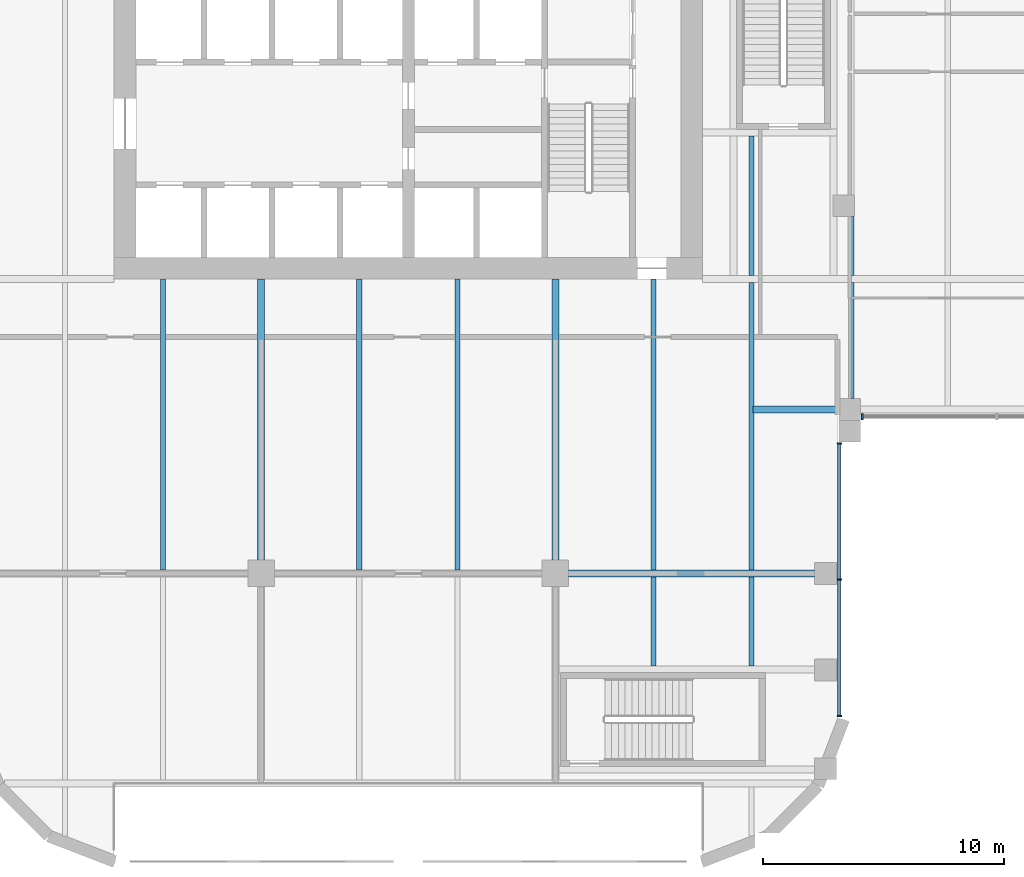
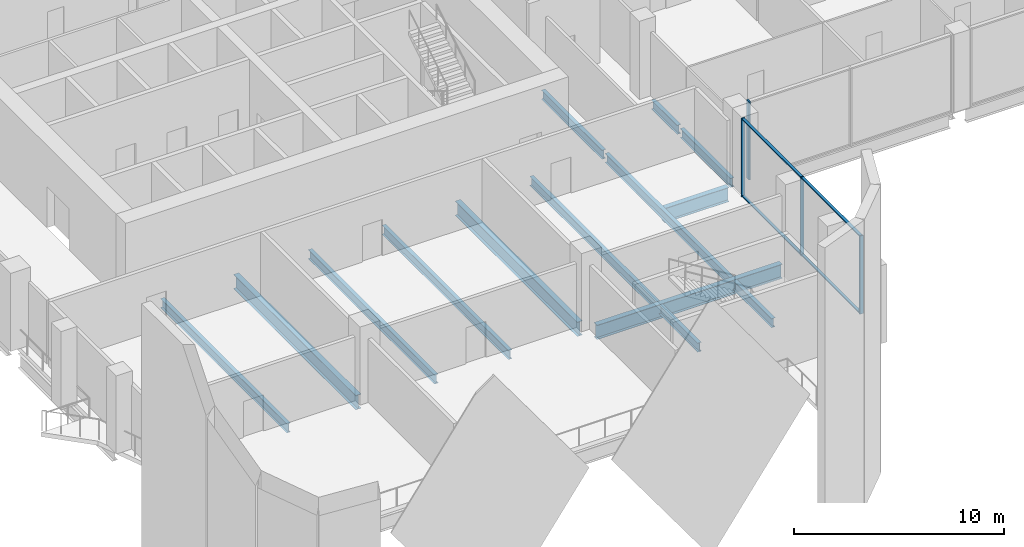
# One storey, part 2 of 33: 14 beams, 8 members, 2 elements without a shape of their own.
"""IFC4 building model written with IfcOpenShell, lengths in metres."""

import ifcopenshell
import ifcopenshell.guid

model = None  # the IFC model being written
_history = None  # IfcOwnerHistory: only IFC2X3 demands one
_inside = {}  # id of a spatial element -> (the spatial element, [elements in it])
_under = {}  # id of a project, library or spatial element -> (it, [spatial elements below it])
_declared = {}  # id of a project -> (the project, [libraries it declares])
_typed = {}  # id of a type object -> (the type object, [elements of that type])
_made_of = {}  # id of a material, layer set ... -> (it, [elements and type objects made of it])


def new_model(schema):
    """Start an empty IFC model of exactly this schema.

    Asked for "IFC4X3", IfcOpenShell would pick the latest addendum, in which some entities
    have other attributes; the version numbers below select the first issue.
    IFC2X3 requires an IfcOwnerHistory on every rooted entity: one is made here for all.
    """
    global model, _history
    if schema == "IFC4X3":
        model = ifcopenshell.file(schema_version=(4, 3, 0, 0))
    else:
        model = ifcopenshell.file(schema=schema)
    _inside.clear()
    _under.clear()
    _declared.clear()
    _typed.clear()
    _made_of.clear()
    _history = None
    if model.schema == "IFC2X3":
        org = make("IfcOrganization", Name="unknown")
        user = make(
            "IfcPersonAndOrganization",
            ThePerson=make("IfcPerson", FamilyName="unknown"),
            TheOrganization=org,
        )
        app = make(
            "IfcApplication",
            ApplicationDeveloper=org,
            Version="unknown",
            ApplicationFullName="unknown",
            ApplicationIdentifier="unknown",
        )
        _history = make(
            "IfcOwnerHistory",
            OwningUser=user,
            OwningApplication=app,
            ChangeAction="ADDED",
            CreationDate=0,
        )
    return model


def make(cls, **values):
    """One entity of the class cls with the attributes given. An attribute that is None is left unset."""
    return model.create_entity(
        cls, **{name: value for name, value in values.items() if value is not None}
    )


def rooted(cls, **values):
    """An entity with a GlobalId (a new one), such as an element, a storey or a relation."""
    return make(cls, GlobalId=ifcopenshell.guid.new(), OwnerHistory=_history, **values)


def si_unit(unit_type, name, prefix=None):
    """IfcSIUnit, for example si_unit("LENGTHUNIT", "METRE", prefix="MILLI")."""
    return make("IfcSIUnit", UnitType=unit_type, Prefix=prefix, Name=name)


def assignment(units):
    """IfcUnitAssignment: the units of a project."""
    return None if units is None else make("IfcUnitAssignment", Units=units)


def point(xyz):
    """IfcCartesianPoint."""
    return None if xyz is None else make("IfcCartesianPoint", Coordinates=xyz)


def direction(xyz):
    """IfcDirection."""
    return None if xyz is None else make("IfcDirection", DirectionRatios=xyz)


def frame(location, z_axis=None, x_axis=None):
    """IfcAxis2Placement3D, a coordinate frame: its origin and axes. An axis left out is left unset."""
    return make(
        "IfcAxis2Placement3D",
        Location=point(location),
        Axis=direction(z_axis),
        RefDirection=direction(x_axis),
    )


def frame_2d(location, x_axis=None):
    """IfcAxis2Placement2D, a coordinate frame in the plane: its origin and x axis."""
    return make(
        "IfcAxis2Placement2D", Location=point(location), RefDirection=direction(x_axis)
    )


def origin():
    """The frame at (0, 0, 0) with its axes left unset."""
    return frame((0.0, 0.0, 0.0))


def origin_2d():
    """The frame at (0, 0) in the plane with its x axis left unset."""
    return frame_2d((0.0, 0.0))


def place(relative_to, where):
    """IfcLocalPlacement: puts the frame where relative to a parent placement (None: the world)."""
    return make(
        "IfcLocalPlacement", PlacementRelTo=relative_to, RelativePlacement=where
    )


def context(
    kind, dimensions, precision=None, world=None, true_north=None, identifier=None
):
    """IfcGeometricRepresentationContext, for example the 3D "Model" context."""
    return make(
        "IfcGeometricRepresentationContext",
        ContextIdentifier=identifier,
        ContextType=kind,
        CoordinateSpaceDimension=dimensions,
        Precision=precision,
        WorldCoordinateSystem=world,
        TrueNorth=true_north,
    )


def subcontext(parent, identifier, kind, view, scale=None):
    """IfcGeometricRepresentationSubContext, for example "Body" below "Model"."""
    return make(
        "IfcGeometricRepresentationSubContext",
        ContextIdentifier=identifier,
        ContextType=kind,
        ParentContext=parent,
        TargetScale=scale,
        TargetView=view,
    )


def project(units=None, contexts=None):
    """IfcProject with its units and contexts."""
    return rooted(
        "IfcProject",
        Name="project",
        RepresentationContexts=contexts,
        UnitsInContext=assignment(units),
    )


def spatial(cls, under=None, at=None, **own):
    """A site, building, storey or space (cls), placed at a placement, below another one or the project."""
    s = rooted(cls, ObjectPlacement=at, **own)
    if under is not None:
        _under.setdefault(under.id(), (under, []))[1].append(s)
    return s


def profile(cls, at=None, kind="AREA", **sizes):
    """A parametric profile (cls). Its sizes go by their IFC names, for example OverallWidth=200.0."""
    return make(cls, ProfileType=kind, Position=at, **sizes)


def rectangle(**sizes):
    """IfcRectangleProfileDef."""
    return profile("IfcRectangleProfileDef", **sizes)


def i_section(**sizes):
    """IfcIShapeProfileDef."""
    return profile("IfcIShapeProfileDef", **sizes)


def extrude(swept, where, along, depth):
    """IfcExtrudedAreaSolid: the profile swept, set in the frame where, extruded along a direction by depth."""
    return make(
        "IfcExtrudedAreaSolid",
        SweptArea=swept,
        Position=where,
        ExtrudedDirection=direction(along),
        Depth=depth,
    )


def shape(context_of_items, identifier, shape_type, items):
    """IfcShapeRepresentation: the items that make up one representation, for example the "Body"."""
    return make(
        "IfcShapeRepresentation",
        ContextOfItems=context_of_items,
        RepresentationIdentifier=identifier,
        RepresentationType=shape_type,
        Items=items,
    )


def material(Name=None, Category=None):
    """IfcMaterial."""
    return make("IfcMaterial", Name=Name, Category=Category)


def material_profile(
    of_material, cross_section, Name=None, Category=None, Priority=None
):
    """IfcMaterialProfile: a cross section and its material."""
    return make(
        "IfcMaterialProfile",
        Name=Name,
        Material=of_material,
        Profile=cross_section,
        Priority=Priority,
        Category=Category,
    )


def profile_set(profiles, Name=None, composite=None):
    """IfcMaterialProfileSet."""
    return make(
        "IfcMaterialProfileSet",
        Name=Name,
        MaterialProfiles=profiles,
        CompositeProfile=composite,
    )


def made_of(thing, what):
    """Note that an element or type object is made of a material, layer set ...; save() writes the relation."""
    if what is not None:
        _made_of.setdefault(what.id(), (what, []))[1].append(thing)
    return thing


def type_object(cls, material=None, **own):
    """A type object (cls), such as IfcWallType, which elements share."""
    return made_of(rooted(cls, **own), material)


def element(
    cls,
    number,
    at=None,
    inside=None,
    cuts=None,
    type_object=None,
    material=None,
    context=None,
    identifier="Body",
    shape_type=None,
    held_by="IfcProductDefinitionShape",
    body=None,
    shapes=None,
    **own,
):
    """One element of the class cls, such as IfcWall. Its Tag is "e" and its number.

    at: its placement. inside: the storey or other place that contains it. cuts: it is an
    opening in that element (IfcRelVoidsElement). A single representation is given by context,
    identifier, shape_type and body (its items); several are given by shapes. held_by: the class
    of the entity that holds the representations. save() writes the other relations.
    """
    e = rooted(cls, Tag="e%d" % number, ObjectPlacement=at, **own)
    if body is not None:
        shapes = [shape(context, identifier, shape_type, body)]
    if shapes is not None:
        e.Representation = make(held_by, Representations=shapes)
    if inside is not None:
        _inside.setdefault(inside.id(), (inside, []))[1].append(e)
    if cuts is not None:
        rooted(
            "IfcRelVoidsElement", RelatingBuildingElement=cuts, RelatedOpeningElement=e
        )
    if type_object is not None:
        _typed.setdefault(type_object.id(), (type_object, []))[1].append(e)
    return made_of(e, material)


def aggregate(whole, parts):
    """IfcRelAggregates: a whole, such as a stair, and the parts it consists of."""
    return rooted("IfcRelAggregates", RelatingObject=whole, RelatedObjects=parts)


def save(model, path):
    """Write the relations noted so far, then the file.

    IfcRelAggregates (storeys below a building ...), IfcRelContainedInSpatialStructure (elements
    in a storey), IfcRelDefinesByType, IfcRelAssociatesMaterial and IfcRelDeclares: one each for
    every whole, place, type object, material and project.
    """
    for whole, parts in _under.values():
        aggregate(whole, parts)
    for where, things in _inside.values():
        rooted(
            "IfcRelContainedInSpatialStructure",
            RelatedElements=things,
            RelatingStructure=where,
        )
    for kind, things in _typed.values():
        rooted("IfcRelDefinesByType", RelatedObjects=things, RelatingType=kind)
    for what, things in _made_of.values():
        rooted("IfcRelAssociatesMaterial", RelatedObjects=things, RelatingMaterial=what)
    for by, libraries in _declared.values():
        rooted("IfcRelDeclares", RelatingContext=by, RelatedDefinitions=libraries)
    model.write(path)


model = new_model("IFC4")

# Units and contexts
model_context = context("Model", 3, precision=1e-05, world=origin(), true_north=direction((0.0, 1.0)))
body_context = subcontext(model_context, "Body", "Model", "MODEL_VIEW")
ifc_project = project(units=[si_unit("LENGTHUNIT", "METRE"), si_unit("AREAUNIT", "SQUARE_METRE"), si_unit("VOLUMEUNIT", "CUBIC_METRE"), si_unit("PLANEANGLEUNIT", "RADIAN"), si_unit("MASSUNIT", "GRAM", prefix="KILO")], contexts=[model_context])

# Site, building, storey
site_placement = place(None, origin())
site = spatial("IfcSite", under=ifc_project, at=site_placement, CompositionType="ELEMENT")
building_placement = place(site_placement, origin())
building = spatial("IfcBuilding", under=site, at=building_placement, Name="Tessera Gate Towers", CompositionType="ELEMENT")
storey_placement = place(building_placement, frame((0.0, 0.0, 7.199951171875)))
storey = spatial("IfcBuildingStorey", under=building, at=storey_placement, Name="L01", CompositionType="ELEMENT", Elevation=7.199951171875)

# Beams
ifc_material_1 = material(Name="Steel 350W", Category="steel")
ifc_material_profile_1 = material_profile(ifc_material_1, i_section(OverallWidth=0.2919921875, OverallDepth=0.8349609375, WebThickness=0.013916015625, FlangeThickness=0.018798828125, at=origin_2d()), Name="W840x176")
ifc_profile_set_1 = profile_set([ifc_material_profile_1], Name="Steel 350W")
beam_type_1 = type_object("IfcBeamType", Name="FLOOR GIRDER W840x176", PredefinedType="BEAM", material=ifc_profile_set_1)
beam_1_placement = place(storey_placement, frame((57.0, 19.0, -0.66748046875), z_axis=(1.0, 0.0, 0.0), x_axis=(0.0, 1.0, 0.0)))
element("IfcBeam", 1, at=beam_1_placement, inside=storey, type_object=beam_type_1, Name="PD-GD-L01-188", PredefinedType="BEAM", context=body_context, shape_type="SweptSolid", body=[
    extrude(i_section(OverallWidth=0.2919921875, OverallDepth=0.8349609375, WebThickness=0.013916015625, FlangeThickness=0.018798828125, at=origin_2d()), origin(), (0.0, 0.0, 1.0), 3.550048828125),
])
beam_2_placement = place(storey_placement, frame((49.35009765625, 12.199951171875, -0.66748046875), z_axis=(1.0, 0.0, 0.0), x_axis=(0.0, 1.0, 0.0)))
element("IfcBeam", 2, at=beam_2_placement, inside=storey, type_object=beam_type_1, Name="PD-GD-L01-203", PredefinedType="BEAM", context=body_context, shape_type="SweptSolid", body=[
    extrude(i_section(OverallWidth=0.2919921875, OverallDepth=0.8349609375, WebThickness=0.013916015625, FlangeThickness=0.018798828125, at=origin_2d()), origin(), (0.0, 0.0, 1.0), 10.199951171875),
])
for number, where, z_axis, x_axis, name in (
    (3, (36.60009765625, 12.75, -0.66748046875), (0.0, 1.0, 0.0), (-1.0, 0.0, 0.0), "PD-GD-L01-244"),
    (4, (48.800048828125, 12.75, -0.66748046875), (0.0, 1.0, 0.0), (-1.0, 0.0, 0.0), "PD-GD-L01-246"),
):
    element("IfcBeam", number, at=place(storey_placement, frame(where, z_axis=z_axis, x_axis=x_axis)), inside=storey, type_object=beam_type_1, Name=name, PredefinedType="BEAM", context=body_context, shape_type="SweptSolid", body=[
        extrude(i_section(OverallWidth=0.2919921875, OverallDepth=0.8349609375, WebThickness=0.013916015625, FlangeThickness=0.018798828125, at=origin_2d()), origin(), (0.0, 0.0, 1.0), 11.64990234375),
    ])
ifc_material_2 = material(Name="Steel 350W", Category="steel")
ifc_material_profile_2 = material_profile(ifc_material_2, i_section(OverallWidth=0.208984375, OverallDepth=0.528076171875, WebThickness=0.009521484375, FlangeThickness=0.01318359375, at=origin_2d()), Name="W530x82")
ifc_profile_set_2 = profile_set([ifc_material_profile_2], Name="Steel 350W")
beam_type_2 = type_object("IfcBeamType", Name="FLOOR SECONDARY W530x82", PredefinedType="BEAM", material=ifc_profile_set_2)
for number, where, z_axis, x_axis, name in (
    (5, (32.533203125, 12.345947265625, -0.513916015625), (0.0, 1.0, 0.0), (-1.0, 0.0, 0.0), "PD-BM-L01-277"),
    (6, (40.666748046875, 12.345947265625, -0.513916015625), (0.0, 1.0, 0.0), (-1.0, 0.0, 0.0), "PD-BM-L01-281"),
    (7, (44.7333984375, 12.345947265625, -0.513916015625), (0.0, 1.0, 0.0), (-1.0, 0.0, 0.0), "PD-BM-L01-284"),
):
    element("IfcBeam", number, at=place(storey_placement, frame(where, z_axis=z_axis, x_axis=x_axis)), inside=storey, type_object=beam_type_2, Name=name, PredefinedType="BEAM", context=body_context, shape_type="SweptSolid", body=[
        extrude(i_section(OverallWidth=0.208984375, OverallDepth=0.528076171875, WebThickness=0.009521484375, FlangeThickness=0.01318359375, at=origin_2d()), origin(), (0.0, 0.0, 1.0), 12.053955078125),
    ])
beam_3_placement = place(storey_placement, frame((52.86669921875, 8.365966796875, -0.513916015625), z_axis=(0.0, 1.0, 0.0), x_axis=(-1.0, 0.0, 0.0)))
element("IfcBeam", 8, at=beam_3_placement, inside=storey, type_object=beam_type_2, Name="PD-BM-L01-287", PredefinedType="BEAM", context=body_context, shape_type="SweptSolid", body=[
    extrude(i_section(OverallWidth=0.208984375, OverallDepth=0.528076171875, WebThickness=0.009521484375, FlangeThickness=0.01318359375, at=origin_2d()), origin(), (0.0, 0.0, 1.0), 3.68798828125),
])
beam_4_placement = place(storey_placement, frame((52.86669921875, 12.345947265625, -0.513916015625), z_axis=(0.0, 1.0, 0.0), x_axis=(-1.0, 0.0, 0.0)))
element("IfcBeam", 9, at=beam_4_placement, inside=storey, type_object=beam_type_2, Name="PD-BM-L01-288", PredefinedType="BEAM", context=body_context, shape_type="SweptSolid", body=[
    extrude(i_section(OverallWidth=0.208984375, OverallDepth=0.528076171875, WebThickness=0.009521484375, FlangeThickness=0.01318359375, at=origin_2d()), origin(), (0.0, 0.0, 1.0), 12.053955078125),
])
beam_5_placement = place(storey_placement, frame((56.933349609375, 8.365966796875, -0.513916015625), z_axis=(0.0, 1.0, 0.0), x_axis=(-1.0, 0.0, 0.0)))
element("IfcBeam", 10, at=beam_5_placement, inside=storey, type_object=beam_type_2, Name="PD-BM-L01-291", PredefinedType="BEAM", context=body_context, shape_type="SweptSolid", body=[
    extrude(i_section(OverallWidth=0.208984375, OverallDepth=0.528076171875, WebThickness=0.009521484375, FlangeThickness=0.01318359375, at=origin_2d()), origin(), (0.0, 0.0, 1.0), 3.68798828125),
])
beam_6_placement = place(storey_placement, frame((56.933349609375, 12.345947265625, -0.513916015625), z_axis=(0.0, 1.0, 0.0), x_axis=(-1.0, 0.0, 0.0)))
element("IfcBeam", 11, at=beam_6_placement, inside=storey, type_object=beam_type_2, Name="PD-BM-L01-292", PredefinedType="BEAM", context=body_context, shape_type="SweptSolid", body=[
    extrude(i_section(OverallWidth=0.208984375, OverallDepth=0.528076171875, WebThickness=0.009521484375, FlangeThickness=0.01318359375, at=origin_2d()), origin(), (0.0, 0.0, 1.0), 11.907958984375),
])
beam_7_placement = place(storey_placement, frame((56.933349609375, 24.5458984375, -0.513916015625), z_axis=(0.0, 1.0, 0.0), x_axis=(-1.0, 0.0, 0.0)))
element("IfcBeam", 12, at=beam_7_placement, inside=storey, type_object=beam_type_2, Name="PD-BM-L01-293", PredefinedType="BEAM", context=body_context, shape_type="SweptSolid", body=[
    extrude(i_section(OverallWidth=0.208984375, OverallDepth=0.528076171875, WebThickness=0.009521484375, FlangeThickness=0.01318359375, at=origin_2d()), origin(), (0.0, 0.0, 1.0), 5.7880859375),
])
beam_8_placement = place(storey_placement, frame((61.070556640625, 19.449951171875, -0.513916015625), z_axis=(0.0, 1.0, 0.0), x_axis=(-1.0, 0.0, 0.0)))
element("IfcBeam", 13, at=beam_8_placement, inside=storey, type_object=beam_type_2, Name="PD-BM-L01-296", PredefinedType="BEAM", context=body_context, shape_type="SweptSolid", body=[
    extrude(i_section(OverallWidth=0.208984375, OverallDepth=0.528076171875, WebThickness=0.009521484375, FlangeThickness=0.01318359375, at=origin_2d()), origin(), (0.0, 0.0, 1.0), 4.803955078125),
])
beam_9_placement = place(storey_placement, frame((61.070556640625, 24.5458984375, -0.513916015625), z_axis=(0.0, 1.0, 0.0), x_axis=(-1.0, 0.0, 0.0)))
element("IfcBeam", 14, at=beam_9_placement, inside=storey, type_object=beam_type_2, Name="PD-BM-L01-297", PredefinedType="BEAM", context=body_context, shape_type="SweptSolid", body=[
    extrude(i_section(OverallWidth=0.208984375, OverallDepth=0.528076171875, WebThickness=0.009521484375, FlangeThickness=0.01318359375, at=origin_2d()), origin(), (0.0, 0.0, 1.0), 2.4541015625),
])

# Curtain wall, members
ifc_material_3 = material(Name="Aluminium frame", Category="aluminium")
curtain_wall_type_1 = type_object("IfcCurtainWallType", Name="CW-S1 podium storefront", PredefinedType="NOTDEFINED", material=ifc_material_3)
curtain_wall_1_placement = place(storey_placement, origin())
curtain_wall_1 = element("IfcCurtainWall", 15, at=curtain_wall_1_placement, inside=storey, type_object=curtain_wall_type_1, Name="Curtain wall podium storefront 0148", PredefinedType="NOTDEFINED")
ifc_material_4 = material(Name="Aluminium frame", Category="aluminium")
ifc_material_profile_3 = material_profile(ifc_material_4, rectangle(XDim=0.06005859375, YDim=0.199951171875, at=origin_2d()), Name="AL 60x200")
ifc_profile_set_3 = profile_set([ifc_material_profile_3], Name="Aluminium frame")
member_type_1 = type_object("IfcMemberType", Name="MU-S1 mullion 60x200", PredefinedType="MULLION", material=ifc_profile_set_3)
member_1_placement = place(storey_placement, frame((60.574951171875, 6.29638671875, 0.0), z_axis=(0.0, 0.0, 1.0), x_axis=(0.0, 1.0, 0.0)))
member_1 = element("IfcMember", 16, at=member_1_placement, type_object=member_type_1, Name="PD-CW1-0148 mullion 1", PredefinedType="MULLION", context=body_context, shape_type="SweptSolid", body=[
    extrude(rectangle(XDim=0.06005859375, YDim=0.199951171875, at=origin_2d()), origin(), (0.0, 0.0, 1.0), 4.550048828125),
])
member_2_placement = place(storey_placement, frame((60.574951171875, 11.943115234375, 0.0), z_axis=(0.0, 0.0, 1.0), x_axis=(0.0, 1.0, 0.0)))
member_2 = element("IfcMember", 17, at=member_2_placement, type_object=member_type_1, Name="PD-CW1-0148 mullion 2", PredefinedType="MULLION", context=body_context, shape_type="SweptSolid", body=[
    extrude(rectangle(XDim=0.06005859375, YDim=0.199951171875, at=origin_2d()), origin(), (0.0, 0.0, 1.0), 4.550048828125),
])
member_3_placement = place(storey_placement, frame((60.574951171875, 17.590087890625, 0.0), z_axis=(0.0, 0.0, 1.0), x_axis=(0.0, 1.0, 0.0)))
member_3 = element("IfcMember", 18, at=member_3_placement, type_object=member_type_1, Name="PD-CW1-0148 mullion 3", PredefinedType="MULLION", context=body_context, shape_type="SweptSolid", body=[
    extrude(rectangle(XDim=0.06005859375, YDim=0.199951171875, at=origin_2d()), origin(), (0.0, 0.0, 1.0), 4.550048828125),
])

# Curtain wall, member
ifc_material_5 = material(Name="Aluminium frame", Category="aluminium")
curtain_wall_type_2 = type_object("IfcCurtainWallType", Name="CW-S2 galleria glazing", PredefinedType="NOTDEFINED", material=ifc_material_5)
curtain_wall_2_placement = place(storey_placement, origin())
curtain_wall_2 = element("IfcCurtainWall", 19, at=curtain_wall_2_placement, inside=storey, type_object=curtain_wall_type_2, Name="Curtain wall galleria glazing 0150", PredefinedType="NOTDEFINED")
ifc_material_6 = material(Name="Aluminium frame", Category="aluminium")
ifc_material_profile_4 = material_profile(ifc_material_6, rectangle(XDim=0.080078125, YDim=0.25, at=origin_2d()), Name="AL 80x250")
ifc_profile_set_4 = profile_set([ifc_material_profile_4], Name="Aluminium frame")
member_type_2 = type_object("IfcMemberType", Name="MU-S2 mullion 80x250", PredefinedType="MULLION", material=ifc_profile_set_4)
member_4_placement = place(storey_placement, frame((61.530029296875, 18.699951171875, 0.0), z_axis=(0.0, 0.0, 1.0), x_axis=(1.0, 0.0, 0.0)))
member_4 = element("IfcMember", 20, at=member_4_placement, type_object=member_type_2, Name="PD-CW2-0150 mullion 1", PredefinedType="MULLION", context=body_context, shape_type="SweptSolid", body=[
    extrude(rectangle(XDim=0.080078125, YDim=0.25, at=origin_2d()), origin(), (0.0, 0.0, 1.0), 4.550048828125),
])
aggregate(curtain_wall_2, [member_4])

# Member
ifc_material_7 = material(Name="Aluminium frame", Category="aluminium")
ifc_material_profile_5 = material_profile(ifc_material_7, rectangle(XDim=0.14990234375, YDim=0.06005859375, at=origin_2d()), Name="AL 60x150")
ifc_profile_set_5 = profile_set([ifc_material_profile_5], Name="Aluminium frame")
member_type_3 = type_object("IfcMemberType", Name="TR-S1 transom 60x150", PredefinedType="USERDEFINED", material=ifc_profile_set_5)
member_5_placement = place(storey_placement, frame((60.574951171875, 6.326416015625, 0.030029296875), z_axis=(0.0, 1.0, 0.0), x_axis=(-1.0, 0.0, 0.0)))
member_5 = element("IfcMember", 21, at=member_5_placement, type_object=member_type_3, Name="PD-CW1-0148 transom 1.1", ObjectType="TRANSOM", PredefinedType="USERDEFINED", context=body_context, shape_type="SweptSolid", body=[
    extrude(rectangle(XDim=0.14990234375, YDim=0.06005859375, at=origin_2d()), origin(), (0.0, 0.0, 1.0), 5.5869140625),
])

member_6_placement = place(storey_placement, frame((60.574951171875, 6.326416015625, 4.52001953125), z_axis=(0.0, 1.0, 0.0), x_axis=(-1.0, 0.0, 0.0)))
member_6 = element("IfcMember", 22, at=member_6_placement, type_object=member_type_3, Name="PD-CW1-0148 transom 1.2", ObjectType="TRANSOM", PredefinedType="USERDEFINED", context=body_context, shape_type="SweptSolid", body=[
    extrude(rectangle(XDim=0.14990234375, YDim=0.06005859375, at=origin_2d()), origin(), (0.0, 0.0, 1.0), 5.5869140625),
])

member_7_placement = place(storey_placement, frame((60.574951171875, 11.97314453125, 0.030029296875), z_axis=(0.0, 1.0, 0.0), x_axis=(-1.0, 0.0, 0.0)))
member_7 = element("IfcMember", 23, at=member_7_placement, type_object=member_type_3, Name="PD-CW1-0148 transom 2.1", ObjectType="TRANSOM", PredefinedType="USERDEFINED", context=body_context, shape_type="SweptSolid", body=[
    extrude(rectangle(XDim=0.14990234375, YDim=0.06005859375, at=origin_2d()), origin(), (0.0, 0.0, 1.0), 5.5869140625),
])

member_8_placement = place(storey_placement, frame((60.574951171875, 11.97314453125, 4.52001953125), z_axis=(0.0, 1.0, 0.0), x_axis=(-1.0, 0.0, 0.0)))
member_8 = element("IfcMember", 24, at=member_8_placement, type_object=member_type_3, Name="PD-CW1-0148 transom 2.2", ObjectType="TRANSOM", PredefinedType="USERDEFINED", context=body_context, shape_type="SweptSolid", body=[
    extrude(rectangle(XDim=0.14990234375, YDim=0.06005859375, at=origin_2d()), origin(), (0.0, 0.0, 1.0), 5.5869140625),
])

aggregate(curtain_wall_1, [member_1, member_2, member_3, member_5, member_6, member_7, member_8])

save(model, "model.ifc")
